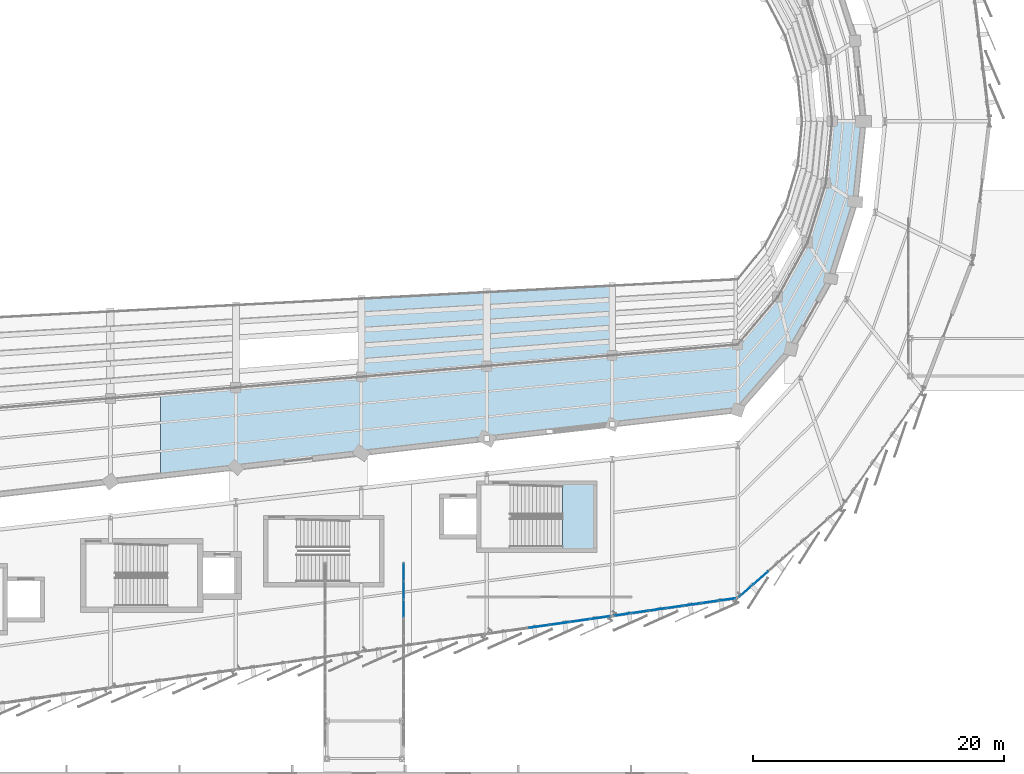
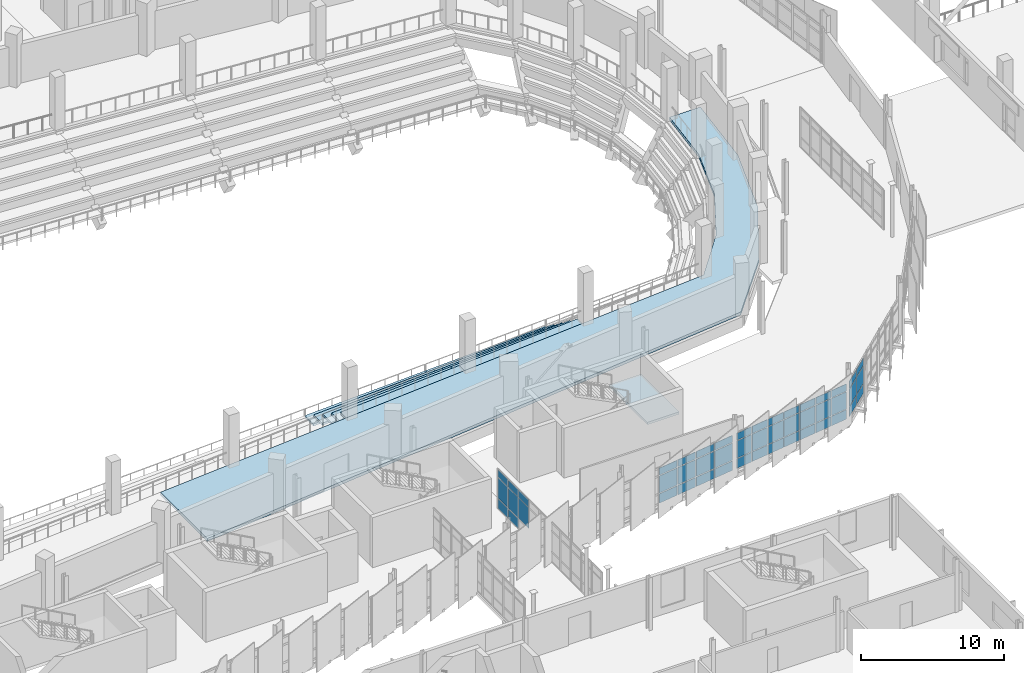
# One storey, part 97 of 134: 47 plates, 12 slabs, 5 elements without a shape of their own.
"""IFC4 building model written with IfcOpenShell, lengths in metres."""

from ifc_helpers import new_model, si_unit, direction, frame, origin, origin_2d, place, context, subcontext, project, spatial, polyline, rectangle, outline, extrude, material, layer, layer_set, type_object, element, aggregate, save


model = new_model("IFC4")

# Units and contexts
model_context = context("Model", 3, precision=1e-05, world=origin(), true_north=direction((0.0, 1.0)))
body_context = subcontext(model_context, "Body", "Model", "MODEL_VIEW")
ifc_project = project(units=[si_unit("LENGTHUNIT", "METRE"), si_unit("AREAUNIT", "SQUARE_METRE"), si_unit("VOLUMEUNIT", "CUBIC_METRE"), si_unit("PLANEANGLEUNIT", "RADIAN"), si_unit("MASSUNIT", "GRAM", prefix="KILO")], contexts=[model_context])

# Site, building, storey
site_placement = place(None, origin())
site = spatial("IfcSite", under=ifc_project, at=site_placement, CompositionType="ELEMENT")
building_placement = place(site_placement, origin())
building = spatial("IfcBuilding", under=site, at=building_placement, Name="Sohan Crest Arena", CompositionType="ELEMENT")
storey_placement = place(building_placement, frame((0.0, 0.0, 4.5)))
storey = spatial("IfcBuildingStorey", under=building, at=storey_placement, Name="L01", CompositionType="ELEMENT", Elevation=4.5)

# Curtain wall, plates
ifc_material_1 = material(Name="Thermally broken anodised aluminium", Category="aluminium")
ifc_layer_1 = layer(ifc_material_1, 0.18994140625, Name="Thermally broken anodised aluminium")
ifc_layer_set_1 = layer_set([ifc_layer_1], Name="Thermally broken anodised aluminium")
curtain_wall_type_1 = type_object("IfcCurtainWallType", Name="ARC-CW05", PredefinedType="NOTDEFINED", material=ifc_layer_set_1)
curtain_wall_1_placement = place(storey_placement, origin())
curtain_wall_1 = element("IfcCurtainWall", 1, at=curtain_wall_1_placement, inside=storey, type_object=curtain_wall_type_1, Name="Unitised curtain wall CW-256", PredefinedType="NOTDEFINED")
ifc_material_2 = material(Name="Low-E double-glazed insulated glass", Category="glass")
ifc_layer_2 = layer(ifc_material_2, 0.028076171875, Name="Low-E double-glazed insulated glass")
ifc_layer_set_2 = layer_set([ifc_layer_2], Name="Low-E double-glazed insulated glass")
plate_type_1 = type_object("IfcPlateType", Name="ARC-CNP01", PredefinedType="CURTAIN_PANEL", material=ifc_layer_set_2)
plate_1_placement = place(storey_placement, frame((141.3798828125, 39.14990234375, 0.93017578125), z_axis=(0.0, 0.0, 1.0), x_axis=(0.0, 1.0, 0.0)))
plate_1 = element("IfcPlate", 2, at=plate_1_placement, type_object=plate_type_1, Name="CW-256 panel 8.2", PredefinedType="CURTAIN_PANEL", context=body_context, shape_type="SweptSolid", body=[
    extrude(rectangle(XDim=1.39501953125, YDim=0.028076171875, at=origin_2d()), origin(), (0.0, 0.0, 1.0), 1.739990234375),
])
plate_2_placement = place(storey_placement, frame((141.3798828125, 39.14990234375, 2.72998046875), z_axis=(0.0, 0.0, 1.0), x_axis=(0.0, 1.0, 0.0)))
plate_2 = element("IfcPlate", 3, at=plate_2_placement, type_object=plate_type_1, Name="CW-256 panel 8.3", PredefinedType="CURTAIN_PANEL", context=body_context, shape_type="SweptSolid", body=[
    extrude(rectangle(XDim=1.39501953125, YDim=0.028076171875, at=origin_2d()), origin(), (0.0, 0.0, 1.0), 0.610107421875),
])
plate_3_placement = place(storey_placement, frame((141.3798828125, 40.610107421875, 0.06005859375), z_axis=(0.0, 0.0, 1.0), x_axis=(0.0, 1.0, 0.0)))
plate_3 = element("IfcPlate", 4, at=plate_3_placement, type_object=plate_type_1, Name="CW-256 panel 9.1", PredefinedType="CURTAIN_PANEL", context=body_context, shape_type="SweptSolid", body=[
    extrude(rectangle(XDim=1.39501953125, YDim=0.028076171875, at=origin_2d()), origin(), (0.0, 0.0, 1.0), 0.81005859375),
])
plate_4_placement = place(storey_placement, frame((141.3798828125, 40.610107421875, 0.93017578125), z_axis=(0.0, 0.0, 1.0), x_axis=(0.0, 1.0, 0.0)))
plate_4 = element("IfcPlate", 5, at=plate_4_placement, type_object=plate_type_1, Name="CW-256 panel 9.2", PredefinedType="CURTAIN_PANEL", context=body_context, shape_type="SweptSolid", body=[
    extrude(rectangle(XDim=1.39501953125, YDim=0.028076171875, at=origin_2d()), origin(), (0.0, 0.0, 1.0), 1.739990234375),
])
plate_5_placement = place(storey_placement, frame((141.3798828125, 40.610107421875, 2.72998046875), z_axis=(0.0, 0.0, 1.0), x_axis=(0.0, 1.0, 0.0)))
plate_5 = element("IfcPlate", 6, at=plate_5_placement, type_object=plate_type_1, Name="CW-256 panel 9.3", PredefinedType="CURTAIN_PANEL", context=body_context, shape_type="SweptSolid", body=[
    extrude(rectangle(XDim=1.39501953125, YDim=0.028076171875, at=origin_2d()), origin(), (0.0, 0.0, 1.0), 0.610107421875),
])
plate_6_placement = place(storey_placement, frame((141.3798828125, 42.0537109375, 0.06005859375), z_axis=(0.0, 0.0, 1.0), x_axis=(0.0, 1.0, 0.0)))
plate_6 = element("IfcPlate", 7, at=plate_6_placement, type_object=plate_type_1, Name="CW-256 panel 10.1", PredefinedType="CURTAIN_PANEL", context=body_context, shape_type="SweptSolid", body=[
    extrude(rectangle(XDim=1.362548828125, YDim=0.028076171875, at=origin_2d()), origin(), (0.0, 0.0, 1.0), 0.81005859375),
])
plate_7_placement = place(storey_placement, frame((141.3798828125, 42.0537109375, 0.93017578125), z_axis=(0.0, 0.0, 1.0), x_axis=(0.0, 1.0, 0.0)))
plate_7 = element("IfcPlate", 8, at=plate_7_placement, type_object=plate_type_1, Name="CW-256 panel 10.2", PredefinedType="CURTAIN_PANEL", context=body_context, shape_type="SweptSolid", body=[
    extrude(rectangle(XDim=1.362548828125, YDim=0.028076171875, at=origin_2d()), origin(), (0.0, 0.0, 1.0), 1.739990234375),
])
plate_8_placement = place(storey_placement, frame((141.3798828125, 42.0537109375, 2.72998046875), z_axis=(0.0, 0.0, 1.0), x_axis=(0.0, 1.0, 0.0)))
plate_8 = element("IfcPlate", 9, at=plate_8_placement, type_object=plate_type_1, Name="CW-256 panel 10.3", PredefinedType="CURTAIN_PANEL", context=body_context, shape_type="SweptSolid", body=[
    extrude(rectangle(XDim=1.362548828125, YDim=0.028076171875, at=origin_2d()), origin(), (0.0, 0.0, 1.0), 0.610107421875),
])
aggregate(curtain_wall_1, [plate_1, plate_2, plate_3, plate_4, plate_5, plate_6, plate_7, plate_8])

ifc_layer_3 = layer(ifc_material_1, 0.2099609375, Name="Thermally broken anodised aluminium")
ifc_layer_set_3 = layer_set([ifc_layer_3], Name="Thermally broken anodised aluminium")
curtain_wall_type_2 = type_object("IfcCurtainWallType", Name="ARC-CW06", PredefinedType="NOTDEFINED", material=ifc_layer_set_3)
curtain_wall_2_placement = place(storey_placement, origin())
curtain_wall_2 = element("IfcCurtainWall", 10, at=curtain_wall_2_placement, inside=storey, type_object=curtain_wall_type_2, Name="Unitised curtain wall CW-035", PredefinedType="NOTDEFINED")
ifc_layer_4 = layer(ifc_material_2, 0.031982421875, Name="Low-E double-glazed insulated glass")
ifc_layer_set_4 = layer_set([ifc_layer_4], Name="Low-E double-glazed insulated glass")
plate_type_2 = type_object("IfcPlateType", Name="ARC-CNP02", PredefinedType="CURTAIN_PANEL", material=ifc_layer_set_4)
plate_9_placement = place(storey_placement, frame((152.188232421875, 37.740966796875, 0.070068359375), z_axis=(0.0, 0.0, 1.0), x_axis=(0.989945428602, 0.141449808729, 0.0)))
plate_9 = element("IfcPlate", 11, at=plate_9_placement, type_object=plate_type_2, Name="CW-035 panel 3.1", PredefinedType="CURTAIN_PANEL", context=body_context, shape_type="SweptSolid", body=[
    extrude(rectangle(XDim=1.5751953125, YDim=0.031982421875, at=origin_2d()), origin(), (0.0, 0.0, 1.0), 0.794921875),
])
plate_10_placement = place(storey_placement, frame((152.188232421875, 37.740966796875, 0.93505859375), z_axis=(0.0, 0.0, 1.0), x_axis=(0.989945428602, 0.141449808729, 0.0)))
plate_10 = element("IfcPlate", 12, at=plate_10_placement, type_object=plate_type_2, Name="CW-035 panel 3.2", PredefinedType="CURTAIN_PANEL", context=body_context, shape_type="SweptSolid", body=[
    extrude(rectangle(XDim=1.5751953125, YDim=0.031982421875, at=origin_2d()), origin(), (0.0, 0.0, 1.0), 1.449951171875),
])
plate_11_placement = place(storey_placement, frame((152.188232421875, 37.740966796875, 2.455078125), z_axis=(0.0, 0.0, 1.0), x_axis=(0.989945428602, 0.141449808729, 0.0)))
plate_11 = element("IfcPlate", 13, at=plate_11_placement, type_object=plate_type_2, Name="CW-035 panel 3.3", PredefinedType="CURTAIN_PANEL", context=body_context, shape_type="SweptSolid", body=[
    extrude(rectangle(XDim=1.5751953125, YDim=0.031982421875, at=origin_2d()), origin(), (0.0, 0.0, 1.0), 0.594970703125),
])
plate_12_placement = place(storey_placement, frame((153.811767578125, 37.972900390625, 0.070068359375), z_axis=(0.0, 0.0, 1.0), x_axis=(0.989945428602, 0.141449808729, 0.0)))
plate_12 = element("IfcPlate", 14, at=plate_12_placement, type_object=plate_type_2, Name="CW-035 panel 4.1", PredefinedType="CURTAIN_PANEL", context=body_context, shape_type="SweptSolid", body=[
    extrude(rectangle(XDim=1.5751953125, YDim=0.031982421875, at=origin_2d()), origin(), (0.0, 0.0, 1.0), 0.794921875),
])
plate_13_placement = place(storey_placement, frame((153.811767578125, 37.972900390625, 0.93505859375), z_axis=(0.0, 0.0, 1.0), x_axis=(0.989945428602, 0.141449808729, 0.0)))
plate_13 = element("IfcPlate", 15, at=plate_13_placement, type_object=plate_type_2, Name="CW-035 panel 4.2", PredefinedType="CURTAIN_PANEL", context=body_context, shape_type="SweptSolid", body=[
    extrude(rectangle(XDim=1.5751953125, YDim=0.031982421875, at=origin_2d()), origin(), (0.0, 0.0, 1.0), 1.449951171875),
])
plate_14_placement = place(storey_placement, frame((153.811767578125, 37.972900390625, 2.455078125), z_axis=(0.0, 0.0, 1.0), x_axis=(0.989945428602, 0.141449808729, 0.0)))
plate_14 = element("IfcPlate", 16, at=plate_14_placement, type_object=plate_type_2, Name="CW-035 panel 4.3", PredefinedType="CURTAIN_PANEL", context=body_context, shape_type="SweptSolid", body=[
    extrude(rectangle(XDim=1.5751953125, YDim=0.031982421875, at=origin_2d()), origin(), (0.0, 0.0, 1.0), 0.594970703125),
])
plate_15_placement = place(storey_placement, frame((155.435546875, 38.205078125, 0.070068359375), z_axis=(0.0, 0.0, 1.0), x_axis=(0.989945428602, 0.141449808729, 0.0)))
plate_15 = element("IfcPlate", 17, at=plate_15_placement, type_object=plate_type_2, Name="CW-035 panel 5.1", PredefinedType="CURTAIN_PANEL", context=body_context, shape_type="SweptSolid", body=[
    extrude(rectangle(XDim=1.5751953125, YDim=0.031982421875, at=origin_2d()), origin(), (0.0, 0.0, 1.0), 0.794921875),
])
plate_16_placement = place(storey_placement, frame((155.435546875, 38.205078125, 0.93505859375), z_axis=(0.0, 0.0, 1.0), x_axis=(0.989945428602, 0.141449808729, 0.0)))
plate_16 = element("IfcPlate", 18, at=plate_16_placement, type_object=plate_type_2, Name="CW-035 panel 5.2", PredefinedType="CURTAIN_PANEL", context=body_context, shape_type="SweptSolid", body=[
    extrude(rectangle(XDim=1.5751953125, YDim=0.031982421875, at=origin_2d()), origin(), (0.0, 0.0, 1.0), 1.449951171875),
])
plate_17_placement = place(storey_placement, frame((155.435546875, 38.205078125, 2.455078125), z_axis=(0.0, 0.0, 1.0), x_axis=(0.989945428602, 0.141449808729, 0.0)))
plate_17 = element("IfcPlate", 19, at=plate_17_placement, type_object=plate_type_2, Name="CW-035 panel 5.3", PredefinedType="CURTAIN_PANEL", context=body_context, shape_type="SweptSolid", body=[
    extrude(rectangle(XDim=1.5751953125, YDim=0.031982421875, at=origin_2d()), origin(), (0.0, 0.0, 1.0), 0.594970703125),
])
plate_18_placement = place(storey_placement, frame((157.04296875, 38.434814453125, 0.070068359375), z_axis=(0.0, 0.0, 1.0), x_axis=(0.989945428602, 0.141449808729, 0.0)))
plate_18 = element("IfcPlate", 20, at=plate_18_placement, type_object=plate_type_2, Name="CW-035 panel 6.1", PredefinedType="CURTAIN_PANEL", context=body_context, shape_type="SweptSolid", body=[
    extrude(rectangle(XDim=1.542724609375, YDim=0.031982421875, at=origin_2d()), origin(), (0.0, 0.0, 1.0), 0.794921875),
])
plate_19_placement = place(storey_placement, frame((157.04296875, 38.434814453125, 0.93505859375), z_axis=(0.0, 0.0, 1.0), x_axis=(0.989945428602, 0.141449808729, 0.0)))
plate_19 = element("IfcPlate", 21, at=plate_19_placement, type_object=plate_type_2, Name="CW-035 panel 6.2", PredefinedType="CURTAIN_PANEL", context=body_context, shape_type="SweptSolid", body=[
    extrude(rectangle(XDim=1.542724609375, YDim=0.031982421875, at=origin_2d()), origin(), (0.0, 0.0, 1.0), 1.449951171875),
])
plate_20_placement = place(storey_placement, frame((157.04296875, 38.434814453125, 2.455078125), z_axis=(0.0, 0.0, 1.0), x_axis=(0.989945428602, 0.141449808729, 0.0)))
plate_20 = element("IfcPlate", 22, at=plate_20_placement, type_object=plate_type_2, Name="CW-035 panel 6.3", PredefinedType="CURTAIN_PANEL", context=body_context, shape_type="SweptSolid", body=[
    extrude(rectangle(XDim=1.542724609375, YDim=0.031982421875, at=origin_2d()), origin(), (0.0, 0.0, 1.0), 0.594970703125),
])
aggregate(curtain_wall_2, [plate_9, plate_10, plate_11, plate_12, plate_13, plate_14, plate_15, plate_16, plate_17, plate_18, plate_19, plate_20])

ifc_layer_5 = layer(ifc_material_1, 0.179931640625, Name="Thermally broken anodised aluminium")
ifc_layer_set_5 = layer_set([ifc_layer_5], Name="Thermally broken anodised aluminium")
curtain_wall_type_3 = type_object("IfcCurtainWallType", Name="ARC-CW01", PredefinedType="NOTDEFINED", material=ifc_layer_set_5)
curtain_wall_3_placement = place(storey_placement, origin())
curtain_wall_3 = element("IfcCurtainWall", 23, at=curtain_wall_3_placement, inside=storey, type_object=curtain_wall_type_3, Name="Unitised curtain wall CW-036", PredefinedType="NOTDEFINED")
ifc_material_3 = material(Name="Ceramic-fritted solar-control insulated glass", Category="glass")
ifc_layer_6 = layer(ifc_material_3, 0.035888671875, Name="Ceramic-fritted solar-control insulated glass")
ifc_layer_set_6 = layer_set([ifc_layer_6], Name="Ceramic-fritted solar-control insulated glass")
plate_type_3 = type_object("IfcPlateType", Name="ARC-CNP03", PredefinedType="CURTAIN_PANEL", material=ifc_layer_set_6)
plate_21_placement = place(storey_placement, frame((158.84228515625, 38.69091796875, 0.06005859375), z_axis=(0.0, 0.0, 1.0), x_axis=(0.989931194722, 0.141549389674, 0.0)))
plate_21 = element("IfcPlate", 24, at=plate_21_placement, type_object=plate_type_3, Name="CW-036 panel 1.1", PredefinedType="CURTAIN_PANEL", context=body_context, shape_type="SweptSolid", body=[
    extrude(rectangle(XDim=1.30078125, YDim=0.035888671875, at=origin_2d()), origin(), (0.0, 0.0, 1.0), 0.81005859375),
])
plate_22_placement = place(storey_placement, frame((158.84228515625, 38.69091796875, 0.929931640625), z_axis=(0.0, 0.0, 1.0), x_axis=(0.989931194722, 0.141549389674, 0.0)))
plate_22 = element("IfcPlate", 25, at=plate_22_placement, type_object=plate_type_3, Name="CW-036 panel 1.2", PredefinedType="CURTAIN_PANEL", context=body_context, shape_type="SweptSolid", body=[
    extrude(rectangle(XDim=1.30078125, YDim=0.035888671875, at=origin_2d()), origin(), (0.0, 0.0, 1.0), 1.4599609375),
])
plate_23_placement = place(storey_placement, frame((158.84228515625, 38.69091796875, 2.44970703125), z_axis=(0.0, 0.0, 1.0), x_axis=(0.989931194722, 0.141549389674, 0.0)))
plate_23 = element("IfcPlate", 26, at=plate_23_placement, type_object=plate_type_3, Name="CW-036 panel 1.3", PredefinedType="CURTAIN_PANEL", context=body_context, shape_type="SweptSolid", body=[
    extrude(rectangle(XDim=1.30078125, YDim=0.035888671875, at=origin_2d()), origin(), (0.0, 0.0, 1.0), 0.610107421875),
])
plate_24_placement = place(storey_placement, frame((160.216552734375, 38.887451171875, 0.06005859375), z_axis=(0.0, 0.0, 1.0), x_axis=(0.989931194722, 0.141549389674, 0.0)))
plate_24 = element("IfcPlate", 27, at=plate_24_placement, type_object=plate_type_3, Name="CW-036 panel 2.1", PredefinedType="CURTAIN_PANEL", context=body_context, shape_type="SweptSolid", body=[
    extrude(rectangle(XDim=1.3359375, YDim=0.035888671875, at=origin_2d()), origin(), (0.0, 0.0, 1.0), 0.81005859375),
])
plate_25_placement = place(storey_placement, frame((160.216552734375, 38.887451171875, 0.929931640625), z_axis=(0.0, 0.0, 1.0), x_axis=(0.989931194722, 0.141549389674, 0.0)))
plate_25 = element("IfcPlate", 28, at=plate_25_placement, type_object=plate_type_3, Name="CW-036 panel 2.2", PredefinedType="CURTAIN_PANEL", context=body_context, shape_type="SweptSolid", body=[
    extrude(rectangle(XDim=1.3359375, YDim=0.035888671875, at=origin_2d()), origin(), (0.0, 0.0, 1.0), 1.4599609375),
])
plate_26_placement = place(storey_placement, frame((160.216552734375, 38.887451171875, 2.44970703125), z_axis=(0.0, 0.0, 1.0), x_axis=(0.989931194722, 0.141549389674, 0.0)))
plate_26 = element("IfcPlate", 29, at=plate_26_placement, type_object=plate_type_3, Name="CW-036 panel 2.3", PredefinedType="CURTAIN_PANEL", context=body_context, shape_type="SweptSolid", body=[
    extrude(rectangle(XDim=1.3359375, YDim=0.035888671875, at=origin_2d()), origin(), (0.0, 0.0, 1.0), 0.610107421875),
])
plate_27_placement = place(storey_placement, frame((161.6083984375, 39.08642578125, 0.06005859375), z_axis=(0.0, 0.0, 1.0), x_axis=(0.989931194722, 0.141549389674, 0.0)))
plate_27 = element("IfcPlate", 30, at=plate_27_placement, type_object=plate_type_3, Name="CW-036 panel 3.1", PredefinedType="CURTAIN_PANEL", context=body_context, shape_type="SweptSolid", body=[
    extrude(rectangle(XDim=1.3359375, YDim=0.035888671875, at=origin_2d()), origin(), (0.0, 0.0, 1.0), 0.81005859375),
])
plate_28_placement = place(storey_placement, frame((161.6083984375, 39.08642578125, 0.929931640625), z_axis=(0.0, 0.0, 1.0), x_axis=(0.989931194722, 0.141549389674, 0.0)))
plate_28 = element("IfcPlate", 31, at=plate_28_placement, type_object=plate_type_3, Name="CW-036 panel 3.2", PredefinedType="CURTAIN_PANEL", context=body_context, shape_type="SweptSolid", body=[
    extrude(rectangle(XDim=1.3359375, YDim=0.035888671875, at=origin_2d()), origin(), (0.0, 0.0, 1.0), 1.4599609375),
])
plate_29_placement = place(storey_placement, frame((161.6083984375, 39.08642578125, 2.44970703125), z_axis=(0.0, 0.0, 1.0), x_axis=(0.989931194722, 0.141549389674, 0.0)))
plate_29 = element("IfcPlate", 32, at=plate_29_placement, type_object=plate_type_3, Name="CW-036 panel 3.3", PredefinedType="CURTAIN_PANEL", context=body_context, shape_type="SweptSolid", body=[
    extrude(rectangle(XDim=1.3359375, YDim=0.035888671875, at=origin_2d()), origin(), (0.0, 0.0, 1.0), 0.610107421875),
])
plate_30_placement = place(storey_placement, frame((163.0, 39.285400390625, 0.06005859375), z_axis=(0.0, 0.0, 1.0), x_axis=(0.989931194722, 0.141549389674, 0.0)))
plate_30 = element("IfcPlate", 33, at=plate_30_placement, type_object=plate_type_3, Name="CW-036 panel 4.1", PredefinedType="CURTAIN_PANEL", context=body_context, shape_type="SweptSolid", body=[
    extrude(rectangle(XDim=1.3359375, YDim=0.035888671875, at=origin_2d()), origin(), (0.0, 0.0, 1.0), 0.81005859375),
])
plate_31_placement = place(storey_placement, frame((163.0, 39.285400390625, 0.929931640625), z_axis=(0.0, 0.0, 1.0), x_axis=(0.989931194722, 0.141549389674, 0.0)))
plate_31 = element("IfcPlate", 34, at=plate_31_placement, type_object=plate_type_3, Name="CW-036 panel 4.2", PredefinedType="CURTAIN_PANEL", context=body_context, shape_type="SweptSolid", body=[
    extrude(rectangle(XDim=1.3359375, YDim=0.035888671875, at=origin_2d()), origin(), (0.0, 0.0, 1.0), 1.4599609375),
])
plate_32_placement = place(storey_placement, frame((163.0, 39.285400390625, 2.44970703125), z_axis=(0.0, 0.0, 1.0), x_axis=(0.989931194722, 0.141549389674, 0.0)))
plate_32 = element("IfcPlate", 35, at=plate_32_placement, type_object=plate_type_3, Name="CW-036 panel 4.3", PredefinedType="CURTAIN_PANEL", context=body_context, shape_type="SweptSolid", body=[
    extrude(rectangle(XDim=1.3359375, YDim=0.035888671875, at=origin_2d()), origin(), (0.0, 0.0, 1.0), 0.610107421875),
])
plate_33_placement = place(storey_placement, frame((164.3916015625, 39.484619140625, 0.06005859375), z_axis=(0.0, 0.0, 1.0), x_axis=(0.989931194722, 0.141549389674, 0.0)))
plate_33 = element("IfcPlate", 36, at=plate_33_placement, type_object=plate_type_3, Name="CW-036 panel 5.1", PredefinedType="CURTAIN_PANEL", context=body_context, shape_type="SweptSolid", body=[
    extrude(rectangle(XDim=1.3359375, YDim=0.035888671875, at=origin_2d()), origin(), (0.0, 0.0, 1.0), 0.81005859375),
])
plate_34_placement = place(storey_placement, frame((164.3916015625, 39.484619140625, 0.929931640625), z_axis=(0.0, 0.0, 1.0), x_axis=(0.989931194722, 0.141549389674, 0.0)))
plate_34 = element("IfcPlate", 37, at=plate_34_placement, type_object=plate_type_3, Name="CW-036 panel 5.2", PredefinedType="CURTAIN_PANEL", context=body_context, shape_type="SweptSolid", body=[
    extrude(rectangle(XDim=1.3359375, YDim=0.035888671875, at=origin_2d()), origin(), (0.0, 0.0, 1.0), 1.4599609375),
])
plate_35_placement = place(storey_placement, frame((164.3916015625, 39.484619140625, 2.44970703125), z_axis=(0.0, 0.0, 1.0), x_axis=(0.989931194722, 0.141549389674, 0.0)))
plate_35 = element("IfcPlate", 38, at=plate_35_placement, type_object=plate_type_3, Name="CW-036 panel 5.3", PredefinedType="CURTAIN_PANEL", context=body_context, shape_type="SweptSolid", body=[
    extrude(rectangle(XDim=1.3359375, YDim=0.035888671875, at=origin_2d()), origin(), (0.0, 0.0, 1.0), 0.610107421875),
])
plate_36_placement = place(storey_placement, frame((165.783447265625, 39.68359375, 0.06005859375), z_axis=(0.0, 0.0, 1.0), x_axis=(0.989931194722, 0.141549389674, 0.0)))
plate_36 = element("IfcPlate", 39, at=plate_36_placement, type_object=plate_type_3, Name="CW-036 panel 6.1", PredefinedType="CURTAIN_PANEL", context=body_context, shape_type="SweptSolid", body=[
    extrude(rectangle(XDim=1.3359375, YDim=0.035888671875, at=origin_2d()), origin(), (0.0, 0.0, 1.0), 0.81005859375),
])
plate_37_placement = place(storey_placement, frame((165.783447265625, 39.68359375, 0.929931640625), z_axis=(0.0, 0.0, 1.0), x_axis=(0.989931194722, 0.141549389674, 0.0)))
plate_37 = element("IfcPlate", 40, at=plate_37_placement, type_object=plate_type_3, Name="CW-036 panel 6.2", PredefinedType="CURTAIN_PANEL", context=body_context, shape_type="SweptSolid", body=[
    extrude(rectangle(XDim=1.3359375, YDim=0.035888671875, at=origin_2d()), origin(), (0.0, 0.0, 1.0), 1.4599609375),
])
plate_38_placement = place(storey_placement, frame((165.783447265625, 39.68359375, 2.44970703125), z_axis=(0.0, 0.0, 1.0), x_axis=(0.989931194722, 0.141549389674, 0.0)))
plate_38 = element("IfcPlate", 41, at=plate_38_placement, type_object=plate_type_3, Name="CW-036 panel 6.3", PredefinedType="CURTAIN_PANEL", context=body_context, shape_type="SweptSolid", body=[
    extrude(rectangle(XDim=1.3359375, YDim=0.035888671875, at=origin_2d()), origin(), (0.0, 0.0, 1.0), 0.610107421875),
])
plate_39_placement = place(storey_placement, frame((167.15771484375, 39.880126953125, 0.06005859375), z_axis=(0.0, 0.0, 1.0), x_axis=(0.989931194722, 0.141549389674, 0.0)))
plate_39 = element("IfcPlate", 42, at=plate_39_placement, type_object=plate_type_3, Name="CW-036 panel 7.1", PredefinedType="CURTAIN_PANEL", context=body_context, shape_type="SweptSolid", body=[
    extrude(rectangle(XDim=1.30078125, YDim=0.035888671875, at=origin_2d()), origin(), (0.0, 0.0, 1.0), 0.81005859375),
])
plate_40_placement = place(storey_placement, frame((167.15771484375, 39.880126953125, 0.929931640625), z_axis=(0.0, 0.0, 1.0), x_axis=(0.989931194722, 0.141549389674, 0.0)))
plate_40 = element("IfcPlate", 43, at=plate_40_placement, type_object=plate_type_3, Name="CW-036 panel 7.2", PredefinedType="CURTAIN_PANEL", context=body_context, shape_type="SweptSolid", body=[
    extrude(rectangle(XDim=1.30078125, YDim=0.035888671875, at=origin_2d()), origin(), (0.0, 0.0, 1.0), 1.4599609375),
])
plate_41_placement = place(storey_placement, frame((167.15771484375, 39.880126953125, 2.44970703125), z_axis=(0.0, 0.0, 1.0), x_axis=(0.989931194722, 0.141549389674, 0.0)))
plate_41 = element("IfcPlate", 44, at=plate_41_placement, type_object=plate_type_3, Name="CW-036 panel 7.3", PredefinedType="CURTAIN_PANEL", context=body_context, shape_type="SweptSolid", body=[
    extrude(rectangle(XDim=1.30078125, YDim=0.035888671875, at=origin_2d()), origin(), (0.0, 0.0, 1.0), 0.610107421875),
])
aggregate(curtain_wall_3, [plate_21, plate_22, plate_23, plate_24, plate_25, plate_26, plate_27, plate_28, plate_29, plate_30, plate_31, plate_32, plate_33, plate_34, plate_35, plate_36, plate_37, plate_38, plate_39, plate_40, plate_41])

ifc_layer_7 = layer(ifc_material_1, 0.199951171875, Name="Thermally broken anodised aluminium")
ifc_layer_set_7 = layer_set([ifc_layer_7], Name="Thermally broken anodised aluminium")
curtain_wall_type_4 = type_object("IfcCurtainWallType", Name="ARC-CW02", PredefinedType="NOTDEFINED", material=ifc_layer_set_7)
curtain_wall_4_placement = place(storey_placement, origin())
curtain_wall_4 = element("IfcCurtainWall", 45, at=curtain_wall_4_placement, inside=storey, type_object=curtain_wall_type_4, Name="Unitised curtain wall CW-037", PredefinedType="NOTDEFINED")
ifc_material_4 = material(Name="Insulated polychrome ceramic spandrel panel", Category="masonry")
ifc_layer_8 = layer(ifc_material_4, 0.0419921875, Name="Insulated polychrome ceramic spandrel panel")
ifc_layer_set_8 = layer_set([ifc_layer_8], Name="Insulated polychrome ceramic spandrel panel")
plate_type_4 = type_object("IfcPlateType", Name="ARC-CNP04", PredefinedType="CURTAIN_PANEL", material=ifc_layer_set_8)
plate_42_placement = place(storey_placement, frame((168.69677734375, 40.611328125, 0.06494140625), z_axis=(0.0, 0.0, 1.0), x_axis=(0.751694427881, 0.659511551903, 0.0)))
plate_42 = element("IfcPlate", 46, at=plate_42_placement, type_object=plate_type_4, Name="CW-037 panel 1.1", PredefinedType="CURTAIN_PANEL", context=body_context, shape_type="SweptSolid", body=[
    extrude(rectangle(XDim=1.443359375, YDim=0.0419921875, at=origin_2d()), origin(), (0.0, 0.0, 1.0), 0.802490234375),
])
plate_43_placement = place(storey_placement, frame((168.69677734375, 40.611328125, 0.932373046875), z_axis=(0.0, 0.0, 1.0), x_axis=(0.751694427881, 0.659511551903, 0.0)))
plate_43 = element("IfcPlate", 47, at=plate_43_placement, type_object=plate_type_4, Name="CW-037 panel 1.2", PredefinedType="CURTAIN_PANEL", context=body_context, shape_type="SweptSolid", body=[
    extrude(rectangle(XDim=1.443359375, YDim=0.0419921875, at=origin_2d()), origin(), (0.0, 0.0, 1.0), 1.455078125),
])
plate_44_placement = place(storey_placement, frame((168.69677734375, 40.611328125, 2.452392578125), z_axis=(0.0, 0.0, 1.0), x_axis=(0.751694427881, 0.659511551903, 0.0)))
plate_44 = element("IfcPlate", 48, at=plate_44_placement, type_object=plate_type_4, Name="CW-037 panel 1.3", PredefinedType="CURTAIN_PANEL", context=body_context, shape_type="SweptSolid", body=[
    extrude(rectangle(XDim=1.443359375, YDim=0.0419921875, at=origin_2d()), origin(), (0.0, 0.0, 1.0), 0.6025390625),
])
plate_45_placement = place(storey_placement, frame((169.852294921875, 41.625244140625, 0.06494140625), z_axis=(0.0, 0.0, 1.0), x_axis=(0.751694427881, 0.659511551903, 0.0)))
plate_45 = element("IfcPlate", 49, at=plate_45_placement, type_object=plate_type_4, Name="CW-037 panel 2.1", PredefinedType="CURTAIN_PANEL", context=body_context, shape_type="SweptSolid", body=[
    extrude(rectangle(XDim=1.48095703125, YDim=0.0419921875, at=origin_2d()), origin(), (0.0, 0.0, 1.0), 0.802490234375),
])
plate_46_placement = place(storey_placement, frame((169.852294921875, 41.625244140625, 0.932373046875), z_axis=(0.0, 0.0, 1.0), x_axis=(0.751694427881, 0.659511551903, 0.0)))
plate_46 = element("IfcPlate", 50, at=plate_46_placement, type_object=plate_type_4, Name="CW-037 panel 2.2", PredefinedType="CURTAIN_PANEL", context=body_context, shape_type="SweptSolid", body=[
    extrude(rectangle(XDim=1.48095703125, YDim=0.0419921875, at=origin_2d()), origin(), (0.0, 0.0, 1.0), 1.455078125),
])
plate_47_placement = place(storey_placement, frame((169.852294921875, 41.625244140625, 2.452392578125), z_axis=(0.0, 0.0, 1.0), x_axis=(0.751694427881, 0.659511551903, 0.0)))
plate_47 = element("IfcPlate", 51, at=plate_47_placement, type_object=plate_type_4, Name="CW-037 panel 2.3", PredefinedType="CURTAIN_PANEL", context=body_context, shape_type="SweptSolid", body=[
    extrude(rectangle(XDim=1.48095703125, YDim=0.0419921875, at=origin_2d()), origin(), (0.0, 0.0, 1.0), 0.6025390625),
])
aggregate(curtain_wall_4, [plate_42, plate_43, plate_44, plate_45, plate_46, plate_47])

# Slab
ifc_material_5 = material(Name="Concrete C40/50", Category="concrete")
ifc_layer_9 = layer(ifc_material_5, 0.25, Name="Concrete C40/50")
ifc_layer_set_9 = layer_set([ifc_layer_9], Name="Concrete C40/50")
slab_type_1 = type_object("IfcSlabType", Name="SL-FLR3", PredefinedType="FLOOR", material=ifc_layer_set_9)
slab_1_placement = place(storey_placement, frame((0.0, 0.0, -0.25)))
element("IfcSlab", 52, at=slab_1_placement, inside=storey, type_object=slab_type_1, Name="Bowl vomitory ring L01 Q4 SL-L01-V1Q4", PredefinedType="FLOOR", context=body_context, shape_type="SweptSolid", body=[
    extrude(outline(polyline([(177.363037109375, 71.593017578125), (175.408935546875, 65.455078125), (172.242919921875, 59.845947265625), (168.0, 55.0), (122.0, 49.742919921875), (122.0, 56.257080078125), (168.0, 60.199951171875), (171.194091796875, 63.988037109375), (173.571044921875, 68.3359375), (175.037109375, 73.070068359375), (175.531982421875, 78.0), (178.02294921875, 78.0), (177.363037109375, 71.593017578125)])), origin(), (0.0, 0.0, 1.0), 0.25),
])

# Stair, slab
stair_type = type_object("IfcStairType", Name="ST-450", PredefinedType="TWO_STRAIGHT_RUN_STAIR", material=ifc_material_5)
stair_placement = place(storey_placement, origin())
stair = element("IfcStair", 53, at=stair_placement, inside=storey, type_object=stair_type, Name="Protected exit stair ST09-L01", PredefinedType="TWO_STRAIGHT_RUN_STAIR")
ifc_layer_10 = layer(ifc_material_5, 0.199951171875, Name="Concrete C40/50")
ifc_layer_set_10 = layer_set([ifc_layer_10], Name="Concrete C40/50")
slab_type_2 = type_object("IfcSlabType", Name="SL-LND1", PredefinedType="LANDING", material=ifc_layer_set_10)
slab_2_placement = place(storey_placement, frame((0.0, 0.0, 2.050048828125)))
slab_2 = element("IfcSlab", 54, at=slab_2_placement, type_object=slab_type_2, Name="ST09-L01 landing 1", PredefinedType="LANDING", context=body_context, shape_type="SweptSolid", body=[
    extrude(outline(polyline([(154.030029296875, 43.85009765625), (156.60009765625, 43.85009765625), (156.60009765625, 49.14990234375), (154.030029296875, 49.14990234375), (154.030029296875, 43.85009765625)])), origin(), (0.0, 0.0, 1.0), 0.199951171875),
])
aggregate(stair, [slab_2])

# Slabs
ifc_material_6 = material(Name="Precast concrete C50/60", Category="concrete")
ifc_layer_11 = layer(ifc_material_6, 0.179931640625, Name="Precast concrete C50/60")
ifc_layer_set_11 = layer_set([ifc_layer_11], Name="Precast concrete C50/60")
slab_type_3 = type_object("IfcSlabType", Name="SL-TIER1", PredefinedType="USERDEFINED", material=ifc_layer_set_11)
slab_3_placement = place(storey_placement, frame((0.0, 0.0, -3.865966796875)))
element("IfcSlab", 55, at=slab_3_placement, inside=storey, type_object=slab_type_3, Name="Lower bowl precast seating tier ST-LOW-131", ObjectType="SEATING TIER", PredefinedType="USERDEFINED", context=body_context, shape_type="SweptSolid", body=[
    extrude(outline(polyline([(138.0, 63.85693359375), (148.0, 64.37109375), (148.0, 63.240966796875), (138.0, 62.660888671875), (138.0, 63.85693359375)])), origin(), (0.0, 0.0, 1.0), 0.179931640625),
])
slab_4_placement = place(storey_placement, frame((0.0, 0.0, -3.0458984375)))
element("IfcSlab", 56, at=slab_4_placement, inside=storey, type_object=slab_type_3, Name="Lower bowl precast seating tier ST-LOW-132", ObjectType="SEATING TIER", PredefinedType="USERDEFINED", context=body_context, shape_type="SweptSolid", body=[
    extrude(outline(polyline([(138.0, 62.611083984375), (148.0, 63.194091796875), (148.0, 62.06396484375), (138.0, 61.416015625), (138.0, 62.611083984375)])), origin(), (0.0, 0.0, 1.0), 0.179931640625),
])
slab_5_placement = place(storey_placement, frame((0.0, 0.0, -2.22607421875)))
element("IfcSlab", 57, at=slab_5_placement, inside=storey, type_object=slab_type_3, Name="Lower bowl precast seating tier ST-LOW-133", ObjectType="SEATING TIER", PredefinedType="USERDEFINED", context=body_context, shape_type="SweptSolid", body=[
    extrude(outline(polyline([(138.0, 61.365966796875), (148.0, 62.01708984375), (148.0, 60.886962890625), (138.0, 60.169921875), (138.0, 61.365966796875)])), origin(), (0.0, 0.0, 1.0), 0.18017578125),
])
slab_6_placement = place(storey_placement, frame((0.0, 0.0, -3.865966796875)))
element("IfcSlab", 58, at=slab_6_placement, inside=storey, type_object=slab_type_3, Name="Lower bowl precast seating tier ST-LOW-141", ObjectType="SEATING TIER", PredefinedType="USERDEFINED", context=body_context, shape_type="SweptSolid", body=[
    extrude(outline(polyline([(148.0, 64.37109375), (158.0, 64.885986328125), (158.0, 63.822021484375), (148.0, 63.240966796875), (148.0, 64.37109375)])), origin(), (0.0, 0.0, 1.0), 0.179931640625),
])
slab_7_placement = place(storey_placement, frame((0.0, 0.0, -3.0458984375)))
element("IfcSlab", 59, at=slab_7_placement, inside=storey, type_object=slab_type_3, Name="Lower bowl precast seating tier ST-LOW-142", ObjectType="SEATING TIER", PredefinedType="USERDEFINED", context=body_context, shape_type="SweptSolid", body=[
    extrude(outline(polyline([(148.0, 63.194091796875), (158.0, 63.777099609375), (158.0, 62.712890625), (148.0, 62.06396484375), (148.0, 63.194091796875)])), origin(), (0.0, 0.0, 1.0), 0.179931640625),
])
slab_8_placement = place(storey_placement, frame((0.0, 0.0, -2.22607421875)))
element("IfcSlab", 60, at=slab_8_placement, inside=storey, type_object=slab_type_3, Name="Lower bowl precast seating tier ST-LOW-143", ObjectType="SEATING TIER", PredefinedType="USERDEFINED", context=body_context, shape_type="SweptSolid", body=[
    extrude(outline(polyline([(148.0, 62.01708984375), (158.0, 62.6689453125), (158.0, 61.60498046875), (148.0, 60.886962890625), (148.0, 62.01708984375)])), origin(), (0.0, 0.0, 1.0), 0.18017578125),
])
ifc_layer_12 = layer(ifc_material_6, 0.205078125, Name="Precast concrete C50/60")
ifc_layer_set_12 = layer_set([ifc_layer_12], Name="Precast concrete C50/60")
slab_type_4 = type_object("IfcSlabType", Name="SL-TIER2", PredefinedType="USERDEFINED", material=ifc_layer_set_12)
slab_9_placement = place(storey_placement, frame((0.0, 0.0, -1.406005859375)))
element("IfcSlab", 61, at=slab_9_placement, inside=storey, type_object=slab_type_4, Name="Lower bowl precast seating tier ST-LOW-134", ObjectType="SEATING TIER", PredefinedType="USERDEFINED", context=body_context, shape_type="SweptSolid", body=[
    extrude(outline(polyline([(138.0, 60.1201171875), (148.0, 60.840087890625), (148.0, 59.7099609375), (138.0, 58.924072265625), (138.0, 60.1201171875)])), origin(), (0.0, 0.0, 1.0), 0.205078125),
])
slab_10_placement = place(storey_placement, frame((0.0, 0.0, -0.5859375)))
element("IfcSlab", 62, at=slab_10_placement, inside=storey, type_object=slab_type_4, Name="Lower bowl precast seating tier ST-LOW-135", ObjectType="SEATING TIER", PredefinedType="USERDEFINED", context=body_context, shape_type="SweptSolid", body=[
    extrude(outline(polyline([(138.0, 58.875), (148.0, 59.6630859375), (148.0, 58.532958984375), (138.0, 57.678955078125), (138.0, 58.875)])), origin(), (0.0, 0.0, 1.0), 0.204833984375),
])
slab_11_placement = place(storey_placement, frame((0.0, 0.0, -1.406005859375)))
element("IfcSlab", 63, at=slab_11_placement, inside=storey, type_object=slab_type_4, Name="Lower bowl precast seating tier ST-LOW-144", ObjectType="SEATING TIER", PredefinedType="USERDEFINED", context=body_context, shape_type="SweptSolid", body=[
    extrude(outline(polyline([(148.0, 60.840087890625), (158.0, 61.56005859375), (158.0, 60.49609375), (148.0, 59.7099609375), (148.0, 60.840087890625)])), origin(), (0.0, 0.0, 1.0), 0.205078125),
])
slab_12_placement = place(storey_placement, frame((0.0, 0.0, -0.5859375)))
element("IfcSlab", 64, at=slab_12_placement, inside=storey, type_object=slab_type_4, Name="Lower bowl precast seating tier ST-LOW-145", ObjectType="SEATING TIER", PredefinedType="USERDEFINED", context=body_context, shape_type="SweptSolid", body=[
    extrude(outline(polyline([(148.0, 59.6630859375), (158.0, 60.451904296875), (158.0, 59.386962890625), (148.0, 58.532958984375), (148.0, 59.6630859375)])), origin(), (0.0, 0.0, 1.0), 0.204833984375),
])

save(model, "model.ifc")
